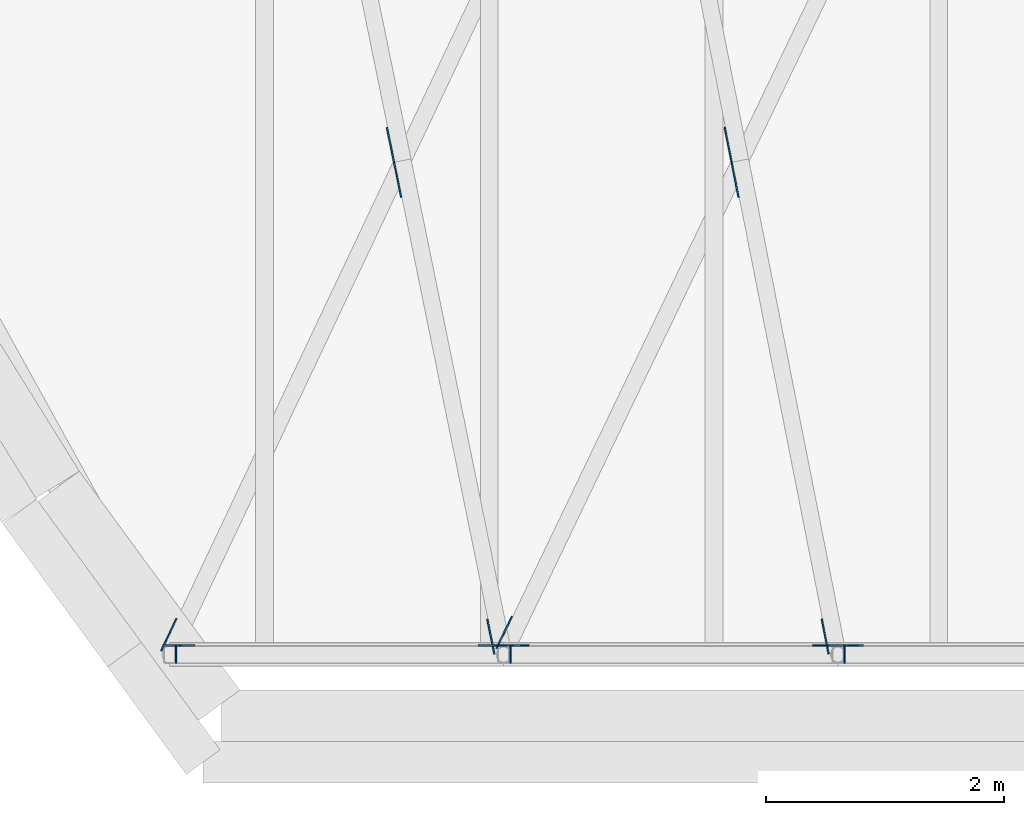
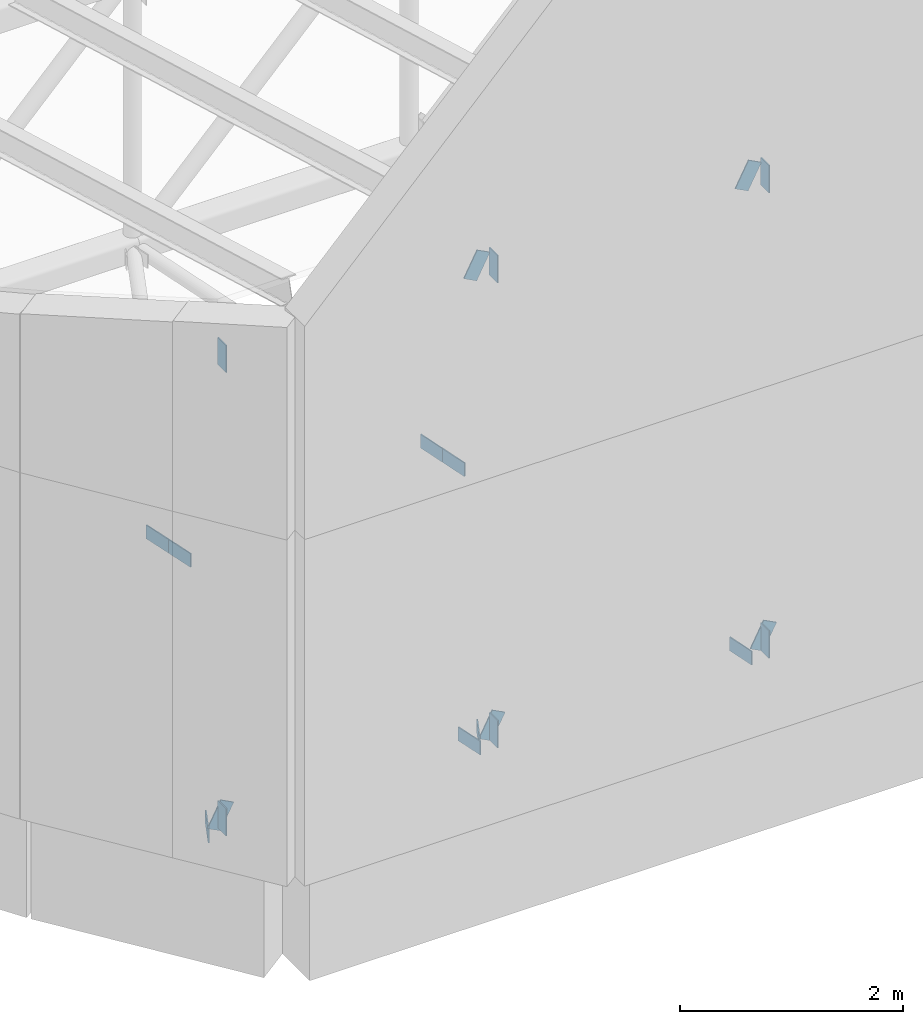
# One storey, part 41 of 68: 19 discrete accessories.
"""IFC4 building model written with IfcOpenShell, lengths in metres."""

import ifcopenshell
import ifcopenshell.guid

model = None  # the IFC model being written
_history = None  # IfcOwnerHistory: only IFC2X3 demands one
_inside = {}  # id of a spatial element -> (the spatial element, [elements in it])
_under = {}  # id of a project, library or spatial element -> (it, [spatial elements below it])
_declared = {}  # id of a project -> (the project, [libraries it declares])
_typed = {}  # id of a type object -> (the type object, [elements of that type])
_made_of = {}  # id of a material, layer set ... -> (it, [elements and type objects made of it])


def new_model(schema):
    """Start an empty IFC model of exactly this schema.

    Asked for "IFC4X3", IfcOpenShell would pick the latest addendum, in which some entities
    have other attributes; the version numbers below select the first issue.
    IFC2X3 requires an IfcOwnerHistory on every rooted entity: one is made here for all.
    """
    global model, _history
    if schema == "IFC4X3":
        model = ifcopenshell.file(schema_version=(4, 3, 0, 0))
    else:
        model = ifcopenshell.file(schema=schema)
    _inside.clear()
    _under.clear()
    _declared.clear()
    _typed.clear()
    _made_of.clear()
    _history = None
    if model.schema == "IFC2X3":
        org = make("IfcOrganization", Name="unknown")
        user = make(
            "IfcPersonAndOrganization",
            ThePerson=make("IfcPerson", FamilyName="unknown"),
            TheOrganization=org,
        )
        app = make(
            "IfcApplication",
            ApplicationDeveloper=org,
            Version="unknown",
            ApplicationFullName="unknown",
            ApplicationIdentifier="unknown",
        )
        _history = make(
            "IfcOwnerHistory",
            OwningUser=user,
            OwningApplication=app,
            ChangeAction="ADDED",
            CreationDate=0,
        )
    return model


def make(cls, **values):
    """One entity of the class cls with the attributes given. An attribute that is None is left unset."""
    return model.create_entity(
        cls, **{name: value for name, value in values.items() if value is not None}
    )


def rooted(cls, **values):
    """An entity with a GlobalId (a new one), such as an element, a storey or a relation."""
    return make(cls, GlobalId=ifcopenshell.guid.new(), OwnerHistory=_history, **values)


def si_unit(unit_type, name, prefix=None):
    """IfcSIUnit, for example si_unit("LENGTHUNIT", "METRE", prefix="MILLI")."""
    return make("IfcSIUnit", UnitType=unit_type, Prefix=prefix, Name=name)


def assignment(units):
    """IfcUnitAssignment: the units of a project."""
    return None if units is None else make("IfcUnitAssignment", Units=units)


def point(xyz):
    """IfcCartesianPoint."""
    return None if xyz is None else make("IfcCartesianPoint", Coordinates=xyz)


def direction(xyz):
    """IfcDirection."""
    return None if xyz is None else make("IfcDirection", DirectionRatios=xyz)


def frame(location, z_axis=None, x_axis=None):
    """IfcAxis2Placement3D, a coordinate frame: its origin and axes. An axis left out is left unset."""
    return make(
        "IfcAxis2Placement3D",
        Location=point(location),
        Axis=direction(z_axis),
        RefDirection=direction(x_axis),
    )


def frame_2d(location, x_axis=None):
    """IfcAxis2Placement2D, a coordinate frame in the plane: its origin and x axis."""
    return make(
        "IfcAxis2Placement2D", Location=point(location), RefDirection=direction(x_axis)
    )


def origin():
    """The frame at (0, 0, 0) with its axes left unset."""
    return frame((0.0, 0.0, 0.0))


def origin_2d():
    """The frame at (0, 0) in the plane with its x axis left unset."""
    return frame_2d((0.0, 0.0))


def place(relative_to, where):
    """IfcLocalPlacement: puts the frame where relative to a parent placement (None: the world)."""
    return make(
        "IfcLocalPlacement", PlacementRelTo=relative_to, RelativePlacement=where
    )


def context(
    kind, dimensions, precision=None, world=None, true_north=None, identifier=None
):
    """IfcGeometricRepresentationContext, for example the 3D "Model" context."""
    return make(
        "IfcGeometricRepresentationContext",
        ContextIdentifier=identifier,
        ContextType=kind,
        CoordinateSpaceDimension=dimensions,
        Precision=precision,
        WorldCoordinateSystem=world,
        TrueNorth=true_north,
    )


def subcontext(parent, identifier, kind, view, scale=None):
    """IfcGeometricRepresentationSubContext, for example "Body" below "Model"."""
    return make(
        "IfcGeometricRepresentationSubContext",
        ContextIdentifier=identifier,
        ContextType=kind,
        ParentContext=parent,
        TargetScale=scale,
        TargetView=view,
    )


def project(units=None, contexts=None):
    """IfcProject with its units and contexts."""
    return rooted(
        "IfcProject",
        Name="project",
        RepresentationContexts=contexts,
        UnitsInContext=assignment(units),
    )


def spatial(cls, under=None, at=None, **own):
    """A site, building, storey or space (cls), placed at a placement, below another one or the project."""
    s = rooted(cls, ObjectPlacement=at, **own)
    if under is not None:
        _under.setdefault(under.id(), (under, []))[1].append(s)
    return s


def profile(cls, at=None, kind="AREA", **sizes):
    """A parametric profile (cls). Its sizes go by their IFC names, for example OverallWidth=200.0."""
    return make(cls, ProfileType=kind, Position=at, **sizes)


def rectangle(**sizes):
    """IfcRectangleProfileDef."""
    return profile("IfcRectangleProfileDef", **sizes)


def extrude(swept, where, along, depth):
    """IfcExtrudedAreaSolid: the profile swept, set in the frame where, extruded along a direction by depth."""
    return make(
        "IfcExtrudedAreaSolid",
        SweptArea=swept,
        Position=where,
        ExtrudedDirection=direction(along),
        Depth=depth,
    )


def shape(context_of_items, identifier, shape_type, items):
    """IfcShapeRepresentation: the items that make up one representation, for example the "Body"."""
    return make(
        "IfcShapeRepresentation",
        ContextOfItems=context_of_items,
        RepresentationIdentifier=identifier,
        RepresentationType=shape_type,
        Items=items,
    )


def material(Name=None, Category=None):
    """IfcMaterial."""
    return make("IfcMaterial", Name=Name, Category=Category)


def material_profile(
    of_material, cross_section, Name=None, Category=None, Priority=None
):
    """IfcMaterialProfile: a cross section and its material."""
    return make(
        "IfcMaterialProfile",
        Name=Name,
        Material=of_material,
        Profile=cross_section,
        Priority=Priority,
        Category=Category,
    )


def profile_set(profiles, Name=None, composite=None):
    """IfcMaterialProfileSet."""
    return make(
        "IfcMaterialProfileSet",
        Name=Name,
        MaterialProfiles=profiles,
        CompositeProfile=composite,
    )


def made_of(thing, what):
    """Note that an element or type object is made of a material, layer set ...; save() writes the relation."""
    if what is not None:
        _made_of.setdefault(what.id(), (what, []))[1].append(thing)
    return thing


def type_object(cls, material=None, **own):
    """A type object (cls), such as IfcWallType, which elements share."""
    return made_of(rooted(cls, **own), material)


def element(
    cls,
    number,
    at=None,
    inside=None,
    cuts=None,
    type_object=None,
    material=None,
    context=None,
    identifier="Body",
    shape_type=None,
    held_by="IfcProductDefinitionShape",
    body=None,
    shapes=None,
    **own,
):
    """One element of the class cls, such as IfcWall. Its Tag is "e" and its number.

    at: its placement. inside: the storey or other place that contains it. cuts: it is an
    opening in that element (IfcRelVoidsElement). A single representation is given by context,
    identifier, shape_type and body (its items); several are given by shapes. held_by: the class
    of the entity that holds the representations. save() writes the other relations.
    """
    e = rooted(cls, Tag="e%d" % number, ObjectPlacement=at, **own)
    if body is not None:
        shapes = [shape(context, identifier, shape_type, body)]
    if shapes is not None:
        e.Representation = make(held_by, Representations=shapes)
    if inside is not None:
        _inside.setdefault(inside.id(), (inside, []))[1].append(e)
    if cuts is not None:
        rooted(
            "IfcRelVoidsElement", RelatingBuildingElement=cuts, RelatedOpeningElement=e
        )
    if type_object is not None:
        _typed.setdefault(type_object.id(), (type_object, []))[1].append(e)
    return made_of(e, material)


def aggregate(whole, parts):
    """IfcRelAggregates: a whole, such as a stair, and the parts it consists of."""
    return rooted("IfcRelAggregates", RelatingObject=whole, RelatedObjects=parts)


def save(model, path):
    """Write the relations noted so far, then the file.

    IfcRelAggregates (storeys below a building ...), IfcRelContainedInSpatialStructure (elements
    in a storey), IfcRelDefinesByType, IfcRelAssociatesMaterial and IfcRelDeclares: one each for
    every whole, place, type object, material and project.
    """
    for whole, parts in _under.values():
        aggregate(whole, parts)
    for where, things in _inside.values():
        rooted(
            "IfcRelContainedInSpatialStructure",
            RelatedElements=things,
            RelatingStructure=where,
        )
    for kind, things in _typed.values():
        rooted("IfcRelDefinesByType", RelatedObjects=things, RelatingType=kind)
    for what, things in _made_of.values():
        rooted("IfcRelAssociatesMaterial", RelatedObjects=things, RelatingMaterial=what)
    for by, libraries in _declared.values():
        rooted("IfcRelDeclares", RelatingContext=by, RelatedDefinitions=libraries)
    model.write(path)


model = new_model("IFC4")

# Units and contexts
model_context = context("Model", 3, precision=1e-05, world=origin(), true_north=direction((0.0, 1.0)))
body_context = subcontext(model_context, "Body", "Model", "MODEL_VIEW")
ifc_project = project(units=[si_unit("LENGTHUNIT", "METRE"), si_unit("AREAUNIT", "SQUARE_METRE"), si_unit("VOLUMEUNIT", "CUBIC_METRE"), si_unit("PLANEANGLEUNIT", "RADIAN"), si_unit("MASSUNIT", "GRAM", prefix="KILO")], contexts=[model_context])

# Site, building, storey
site_placement = place(None, origin())
site = spatial("IfcSite", under=ifc_project, at=site_placement, CompositionType="ELEMENT")
building_placement = place(site_placement, origin())
building = spatial("IfcBuilding", under=site, at=building_placement, Name="Larchfold Concert Hall", CompositionType="ELEMENT")
storey_placement = place(building_placement, frame((0.0, 0.0, 28.800048828125)))
storey = spatial("IfcBuildingStorey", under=building, at=storey_placement, Name="L06", CompositionType="ELEMENT", Elevation=28.800048828125)

# Discrete accessories
ifc_material = material(Name="Steel S355 galvanised bracket", Category="steel")
ifc_material_profile = material_profile(ifc_material, rectangle(XDim=0.011962890625, YDim=0.14990234375, at=origin_2d()))
ifc_profile_set = profile_set([ifc_material_profile], Name="Steel S355 galvanised bracket")
discrete_accessory_type = type_object("IfcDiscreteAccessoryType", Name="Gusset plate 12x150", PredefinedType="BRACKET", material=ifc_profile_set)
for number, where, z_axis, x_axis, name in (
    (1, (25.76953125, 60.0, 5.39990234375), (0.0, 0.0, -1.0), (1.0, 0.0, 0.0), "Gusset plate GP0123"),
    (2, (25.76953125, 60.0, 0.320068359375), (0.0, 0.0, -1.0), (1.0, 0.0, 0.0), "Gusset plate GP0124"),
    (3, (28.583984375, 60.0, 5.39990234375), (0.0, 0.0, -1.0), (1.0, 0.0, 0.0), "Gusset plate GP0125"),
    (4, (28.583984375, 60.0, 0.300048828125), (0.0, 0.0, -1.0), (1.0, 0.0, 0.0), "Gusset plate GP0126"),
    (5, (31.3984375, 60.0, 5.39990234375), (0.0, 0.0, -1.0), (1.0, 0.0, 0.0), "Gusset plate GP0127"),
    (6, (31.3984375, 60.0, 0.300048828125), (0.0, 0.0, -1.0), (1.0, 0.0, 0.0), "Gusset plate GP0128"),
):
    element("IfcDiscreteAccessory", number, at=place(storey_placement, frame(where, z_axis=z_axis, x_axis=x_axis)), inside=storey, type_object=discrete_accessory_type, Name=name, PredefinedType="BRACKET", context=body_context, shape_type="SweptSolid", body=[
        extrude(rectangle(XDim=0.011962890625, YDim=0.14990234375, at=origin_2d()), origin(), (0.0, 0.0, 1.0), 0.300048828125),
    ])
for number, where, z_axis, x_axis, name in (
    (7, (25.722900390625, 60.075927734375, 0.017822265625), (0.462454703444, 0.0, 0.886642908539), (0.0, 1.0, 0.0), "Gusset plate GP0149"),
    (8, (28.380126953125, 60.075927734375, 5.1162109375), (0.462454703444, 0.0, 0.886642908539), (0.0, 1.0, 0.0), "Gusset plate GP0150"),
    (9, (28.537353515625, 60.075927734375, 0.017822265625), (0.462454703444, 0.0, 0.886642908539), (0.0, 1.0, 0.0), "Gusset plate GP0151"),
    (10, (31.194580078125, 60.075927734375, 5.1162109375), (0.462454703444, 0.0, 0.886642908539), (0.0, 1.0, 0.0), "Gusset plate GP0152"),
    (11, (31.351806640625, 60.075927734375, 0.017822265625), (0.462454703444, 0.0, 0.886642908539), (0.0, 1.0, 0.0), "Gusset plate GP0153"),
):
    element("IfcDiscreteAccessory", number, at=place(storey_placement, frame(where, z_axis=z_axis, x_axis=x_axis)), inside=storey, type_object=discrete_accessory_type, Name=name, PredefinedType="BRACKET", context=body_context, shape_type="SweptSolid", body=[
        extrude(rectangle(XDim=0.011962890625, YDim=0.14990234375, at=origin_2d()), origin(), (0.0, 0.0, 1.0), 0.2998046875),
    ])
for number, where, z_axis, x_axis, name in (
    (12, (25.64501953125, 60.032470703125, 0.0), (0.427246580432, 0.904135144494, 0.0), (-0.904135144494, 0.427246580432, 0.0), "Gusset plate GP0553"),
    (13, (28.44970703125, 60.00439453125, 0.0), (-0.199401877541, 0.979917798202, 0.0), (-0.979917798202, -0.199401877541, 0.0), "Gusset plate GP0555"),
    (14, (27.665283203125, 63.849853515625, 0.0), (-0.199401877541, 0.979917798202, 0.0), (-0.979917798202, -0.199401877541, 0.0), "Gusset plate GP0556"),
    (15, (27.60546875, 64.143798828125, 0.0), (-0.200183211319, 0.979758481416, 0.0), (-0.979758481416, -0.200183211319, 0.0), "Gusset plate GP0557"),
    (16, (28.46826171875, 60.05078125, 0.0), (0.432175339096, 0.901789596457, 0.0), (-0.901789596457, 0.432175339096, 0.0), "Gusset plate GP0559"),
    (17, (31.26416015625, 60.0048828125, 0.0), (-0.193612426683, 0.98107809487, 0.0), (-0.98107809487, -0.193612426683, 0.0), "Gusset plate GP0561"),
    (18, (30.50537109375, 63.849853515625, 0.0), (-0.193612426683, 0.98107809487, 0.0), (-0.98107809487, -0.193612426683, 0.0), "Gusset plate GP0562"),
):
    element("IfcDiscreteAccessory", number, at=place(storey_placement, frame(where, z_axis=z_axis, x_axis=x_axis)), inside=storey, type_object=discrete_accessory_type, Name=name, PredefinedType="BRACKET", context=body_context, shape_type="SweptSolid", body=[
        extrude(rectangle(XDim=0.011962890625, YDim=0.14990234375, at=origin_2d()), origin(), (0.0, 0.0, 1.0), 0.300048828125),
    ])
discrete_accessory_placement = place(storey_placement, frame((30.447265625, 64.144287109375, 0.0), z_axis=(-0.193767070681, 0.98104756374, 0.0), x_axis=(-0.98104756374, -0.193767070681, 0.0)))
element("IfcDiscreteAccessory", 19, at=discrete_accessory_placement, inside=storey, type_object=discrete_accessory_type, Name="Gusset plate GP0563", PredefinedType="BRACKET", context=body_context, shape_type="SweptSolid", body=[
    extrude(rectangle(XDim=0.011962890625, YDim=0.14990234375, at=origin_2d()), origin(), (0.0, 0.0, 1.0), 0.2998046875),
])

save(model, "model.ifc")
